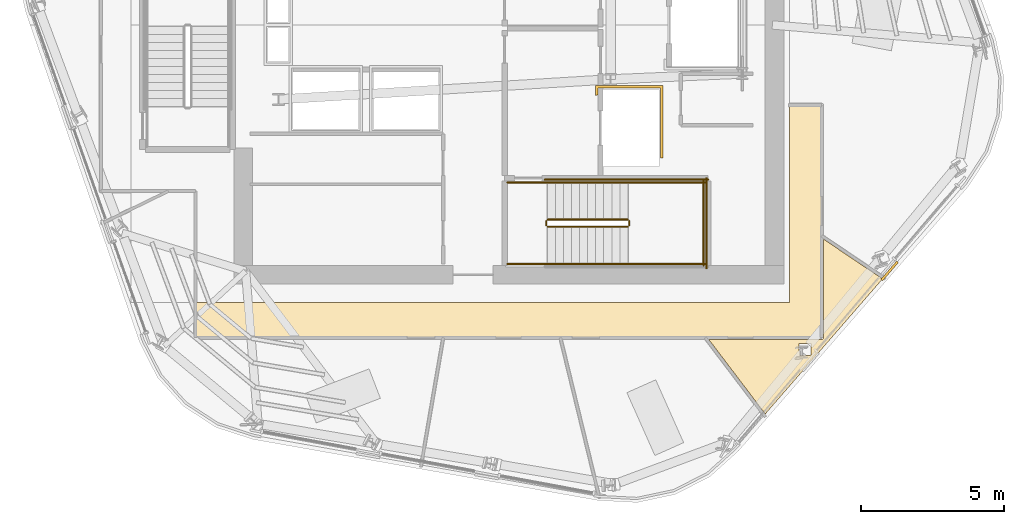
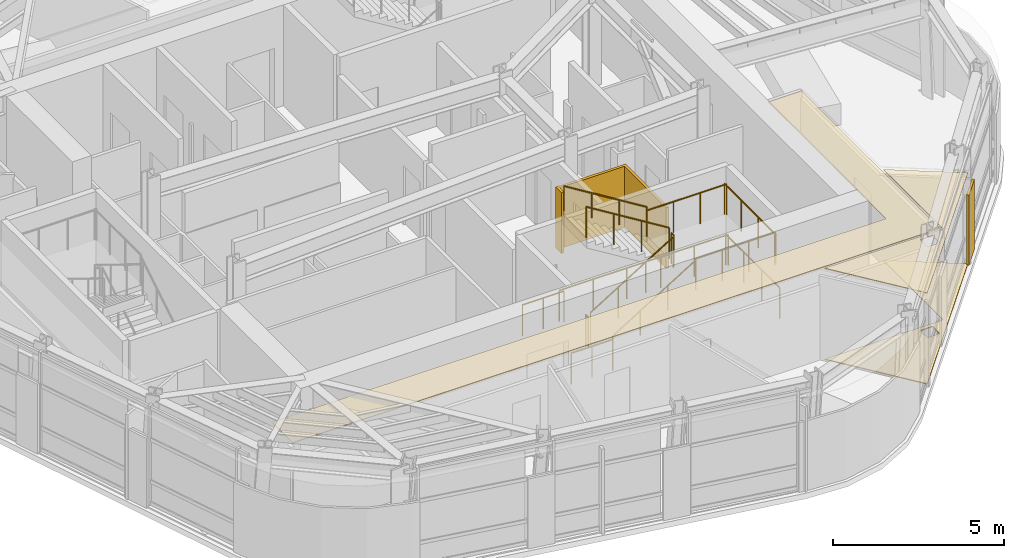
# One storey, part 9 of 12: 13 railings, 5 coverings.
"""IFC4 building model written with IfcOpenShell, lengths in metres."""

from ifc_helpers import new_model, si_unit, direction, frame, origin, origin_2d, place, context, subcontext, project, spatial, polyline, circle, outline, extrude, material, layer, layer_set, type_object, element, save


model = new_model("IFC4")

# Units and contexts
model_context = context("Model", 3, precision=1e-05, world=origin(), true_north=direction((0.0, 1.0)))
body_context = subcontext(model_context, "Body", "Model", "MODEL_VIEW")
ifc_project = project(units=[si_unit("LENGTHUNIT", "METRE"), si_unit("AREAUNIT", "SQUARE_METRE"), si_unit("VOLUMEUNIT", "CUBIC_METRE"), si_unit("PLANEANGLEUNIT", "RADIAN"), si_unit("MASSUNIT", "GRAM", prefix="KILO")], contexts=[model_context])

# Site, building, storey
site_placement = place(None, origin())
site = spatial("IfcSite", under=ifc_project, at=site_placement, CompositionType="ELEMENT")
building_placement = place(site_placement, origin())
building = spatial("IfcBuilding", under=site, at=building_placement, Name="Valkerne Bourse Tower", CompositionType="ELEMENT")
storey_placement = place(building_placement, frame((0.0, 0.0, 236.0)))
storey = spatial("IfcBuildingStorey", under=building, at=storey_placement, Name="L60", CompositionType="ELEMENT", Elevation=236.0)

# Coverings
ifc_material_1 = material(Name="Mineral Fiber Acoustic Ceiling Tile", Category="acoustic")
ifc_layer_1 = layer(ifc_material_1, 0.02490234375)
ifc_layer_set_1 = layer_set([ifc_layer_1], Name="Mineral Fiber Acoustic Ceiling Tile")
covering_type_1 = type_object("IfcCoveringType", Name="COV-CEIL-ACT", PredefinedType="CEILING", material=ifc_layer_set_1)
covering_1_placement = place(storey_placement, frame((0.0, 0.0, 3.25)))
element("IfcCovering", 1, at=covering_1_placement, inside=storey, type_object=covering_type_1, Name="L60 Suspended Ceiling 04", PredefinedType="CEILING", context=body_context, shape_type="SweptSolid", body=[
    extrude(outline(polyline([(57.720703125, 16.010986328125), (57.765869140625, 16.0283203125), (57.78271484375, 16.051025390625), (57.7890625, 16.07958984375), (57.7890625, 19.5166015625), (59.8466796875, 18.128662109375), (55.751708984375, 13.41357421875), (53.7802734375, 16.010986328125), (57.720703125, 16.010986328125)]), holes=[polyline([(57.355712890625, 15.466064453125), (57.343994140625, 15.8798828125), (56.9326171875, 15.868896484375), (56.930908203125, 15.867431640625), (56.94287109375, 15.45361328125), (57.35400390625, 15.464599609375), (57.355712890625, 15.466064453125)])]), origin(), (0.0, 0.0, 1.0), 0.02490234375),
])
ifc_material_2 = material(Name="Bronze Anodised Aluminium AA 6063-T6", Category="aluminium")
ifc_layer_2 = layer(ifc_material_2, 0.030029296875)
ifc_layer_set_2 = layer_set([ifc_layer_2], Name="Bronze Anodised Aluminium AA 6063-T6")
covering_type_2 = type_object("IfcCoveringType", Name="COV-CEIL-METAL", PredefinedType="CEILING", material=ifc_layer_set_2)
covering_2_placement = place(storey_placement, frame((0.0, 0.0, 3.25)))
element("IfcCovering", 2, at=covering_2_placement, inside=storey, type_object=covering_type_2, Name="L60 Suspended Ceiling 01", PredefinedType="CEILING", context=body_context, shape_type="SweptSolid", body=[
    extrude(outline(polyline([(35.85400390625, 17.300048828125), (56.60009765625, 17.300048828125), (56.60009765625, 24.196044921875), (57.716064453125, 24.196044921875), (57.716064453125, 16.083984375), (35.85400390625, 16.083984375), (35.85400390625, 17.300048828125)])), origin(), (0.0, 0.0, 1.0), 0.02490234375),
])
ifc_layer_3 = layer(ifc_material_2, 0.06005859375)
ifc_layer_set_3 = layer_set([ifc_layer_3], Name="Bronze Anodised Aluminium AA 6063-T6")
covering_type_3 = type_object("IfcCoveringType", Name="COV-CRN-ALUM", PredefinedType="CLADDING", material=ifc_layer_set_3)
covering_3_placement = place(storey_placement, origin())
element("IfcCovering", 3, at=covering_3_placement, inside=storey, type_object=covering_type_3, Name="L60 Wind-Shaped Corner Aluminium Cladding 02", PredefinedType="CLADDING", context=body_context, shape_type="SweptSolid", body=[
    extrude(outline(polyline([(59.85302734375, 18.06884765625), (59.792236328125, 18.120849609375), (60.343017578125, 18.755126953125), (60.40380859375, 18.703125), (59.85302734375, 18.06884765625)])), origin(), (0.0, 0.0, 1.0), 2.5),
])
ifc_material_3 = material(Name="Polished Granite Stone", Category="masonry")
ifc_layer_4 = layer(ifc_material_3, 0.030029296875)
ifc_layer_set_4 = layer_set([ifc_layer_4], Name="Polished Granite Stone")
covering_type_4 = type_object("IfcCoveringType", Name="COV-FLR-TERRAZZO", PredefinedType="FLOORING", material=ifc_layer_set_4)
covering_4_placement = place(storey_placement, origin())
element("IfcCovering", 4, at=covering_4_placement, inside=storey, type_object=covering_type_4, Name="L60 Floor Finish 04", PredefinedType="FLOORING", context=body_context, shape_type="SweptSolid", body=[
    extrude(outline(polyline([(57.720703125, 16.010986328125), (57.765869140625, 16.0283203125), (57.78271484375, 16.051025390625), (57.7890625, 16.07958984375), (57.7890625, 19.5166015625), (59.8466796875, 18.128662109375), (55.751708984375, 13.41357421875), (53.7802734375, 16.010986328125), (57.720703125, 16.010986328125)]), holes=[polyline([(57.355712890625, 15.466064453125), (57.343994140625, 15.8798828125), (56.9326171875, 15.868896484375), (56.930908203125, 15.867431640625), (56.94287109375, 15.45361328125), (57.35400390625, 15.464599609375), (57.355712890625, 15.466064453125)])]), origin(), (0.0, 0.0, 1.0), 0.030029296875),
])
ifc_material_4 = material(Name="Gypsum Shaftwall Liner Board", Category="gypsum")
ifc_layer_5 = layer(ifc_material_4, 0.080078125)
ifc_layer_set_5 = layer_set([ifc_layer_5], Name="Gypsum Shaftwall Liner Board")
covering_type_5 = type_object("IfcCoveringType", Name="COV-SHF-CLAD", PredefinedType="CLADDING", material=ifc_layer_set_5)
covering_5_placement = place(storey_placement, origin())
element("IfcCovering", 5, at=covering_5_placement, inside=storey, type_object=covering_type_5, Name="L60 Hoistway & Riser Shaftwall Liner 05", PredefinedType="CLADDING", context=body_context, shape_type="SweptSolid", body=[
    extrude(outline(polyline([(52.179931640625, 22.35009765625), (52.090087890625, 22.35009765625), (52.090087890625, 24.7900390625), (49.909912109375, 24.7900390625), (49.909912109375, 24.560791015625), (49.869384765625, 24.550537109375), (49.827880859375, 24.53564453125), (49.820068359375, 24.531982421875), (49.820068359375, 24.8798828125), (52.179931640625, 24.8798828125), (52.179931640625, 22.35009765625)])), origin(), (0.0, 0.0, 1.0), 2.179931640625),
])

# Railings
ifc_material_5 = material(Name="Galvanised Painted Steel", Category="steel")
railing_type_1 = type_object("IfcRailingType", Name="RLG-ST-GUARD-1120", PredefinedType="GUARDRAIL", material=ifc_material_5)
railing_1_placement = place(storey_placement, frame((48.14990234375, 19.949951171875, 0.172607421875)))
element("IfcRailing", 6, at=railing_1_placement, inside=storey, type_object=railing_type_1, Name="L60 ST-1 stair guard 1", PredefinedType="GUARDRAIL", context=body_context, shape_type="SweptSolid", body=[
    extrude(circle(Radius=0.02392578125, at=origin_2d()), frame((0.0, 0.0, 1.09619140625), z_axis=(0.851089632645, 0.0, 0.525020415988), x_axis=(0.0, 1.0, 0.0)), (0.0, 0.0, 1.0), 3.2900390625),
    extrude(circle(Radius=0.02099609375, at=origin_2d()), origin(), (0.0, 0.0, 1.0), 1.072021484375),
    extrude(circle(Radius=0.02099609375, at=origin_2d()), frame((0.933349609375, 0.0, 0.57568359375)), (0.0, 0.0, 1.0), 1.072021484375),
    extrude(circle(Radius=0.02099609375, at=origin_2d()), frame((1.86669921875, 0.0, 1.151611328125)), (0.0, 0.0, 1.0), 1.072021484375),
    extrude(circle(Radius=0.02099609375, at=origin_2d()), frame((2.800048828125, 0.0, 1.727294921875)), (0.0, 0.0, 1.0), 1.072021484375),
])
railing_2_placement = place(storey_placement, frame((51.0, 20.0, 1.89990234375)))
element("IfcRailing", 7, at=railing_2_placement, inside=storey, type_object=railing_type_1, Name="L60 ST-1 stair guard 2", PredefinedType="GUARDRAIL", context=body_context, shape_type="SweptSolid", body=[
    extrude(circle(Radius=0.02392578125, at=origin_2d()), frame((0.0, 0.0, 1.09619140625), z_axis=(0.0, 1.0, 0.0), x_axis=(-1.0, 0.0, 0.0)), (0.0, 0.0, 1.0), 0.14990234375),
    extrude(circle(Radius=0.02099609375, at=origin_2d()), origin(), (0.0, 0.0, 1.0), 1.072021484375),
    extrude(circle(Radius=0.02099609375, at=origin_2d()), frame((0.0, 0.14990234375, 0.0)), (0.0, 0.0, 1.0), 1.072021484375),
])
for number, where, name in (
    (8, (50.949951171875, 18.64990234375, 1.89990234375), "L60 ST-1 stair guard 3"),
    (9, (50.949951171875, 21.5, 1.89990234375), "L60 ST-1 stair guard 4"),
):
    element("IfcRailing", number, at=place(storey_placement, frame(where)), inside=storey, type_object=railing_type_1, Name=name, PredefinedType="GUARDRAIL", context=body_context, shape_type="SweptSolid", body=[
        extrude(circle(Radius=0.02392578125, at=origin_2d()), frame((0.0, 0.0, 1.09619140625), z_axis=(1.0, 0.0, 0.0), x_axis=(0.0, 1.0, 0.0)), (0.0, 0.0, 1.0), 2.699951171875),
        extrude(circle(Radius=0.02099609375, at=origin_2d()), origin(), (0.0, 0.0, 1.0), 1.072021484375),
        extrude(circle(Radius=0.02099609375, at=origin_2d()), frame((0.89990234375, 0.0, 0.0)), (0.0, 0.0, 1.0), 1.072021484375),
        extrude(circle(Radius=0.02099609375, at=origin_2d()), frame((1.800048828125, 0.0, 0.0)), (0.0, 0.0, 1.0), 1.072021484375),
        extrude(circle(Radius=0.02099609375, at=origin_2d()), frame((2.699951171875, 0.0, 0.0)), (0.0, 0.0, 1.0), 1.072021484375),
    ])
railing_3_placement = place(storey_placement, frame((53.60009765625, 18.60009765625, 1.89990234375)))
element("IfcRailing", 10, at=railing_3_placement, inside=storey, type_object=railing_type_1, Name="L60 ST-1 stair guard 5", PredefinedType="GUARDRAIL", context=body_context, shape_type="SweptSolid", body=[
    extrude(circle(Radius=0.02392578125, at=origin_2d()), frame((0.0, 0.0, 1.09619140625), z_axis=(0.0, 1.0, 0.0), x_axis=(-1.0, 0.0, 0.0)), (0.0, 0.0, 1.0), 2.949951171875),
    extrude(circle(Radius=0.02099609375, at=origin_2d()), origin(), (0.0, 0.0, 1.0), 1.072021484375),
    extrude(circle(Radius=0.02099609375, at=origin_2d()), frame((0.0, 0.9833984375, 0.0)), (0.0, 0.0, 1.0), 1.072021484375),
    extrude(circle(Radius=0.02099609375, at=origin_2d()), frame((0.0, 1.966552734375, 0.0)), (0.0, 0.0, 1.0), 1.072021484375),
    extrude(circle(Radius=0.02099609375, at=origin_2d()), frame((0.0, 2.949951171875, 0.0)), (0.0, 0.0, 1.0), 1.072021484375),
])
railing_4_placement = place(storey_placement, frame((50.949951171875, 20.199951171875, 2.07275390625)))
element("IfcRailing", 11, at=railing_4_placement, inside=storey, type_object=railing_type_1, Name="L60 ST-1 stair guard 6", PredefinedType="GUARDRAIL", context=body_context, shape_type="SweptSolid", body=[
    extrude(circle(Radius=0.02392578125, at=origin_2d()), frame((0.0, 0.0, 1.09619140625), z_axis=(-0.851089632645, 0.0, 0.525020415988), x_axis=(0.0, -1.0, 0.0)), (0.0, 0.0, 1.0), 3.2900390625),
    extrude(circle(Radius=0.02099609375, at=origin_2d()), origin(), (0.0, 0.0, 1.0), 1.072021484375),
    extrude(circle(Radius=0.02099609375, at=origin_2d()), frame((-0.933349609375, 0.0, 0.57568359375)), (0.0, 0.0, 1.0), 1.072021484375),
    extrude(circle(Radius=0.02099609375, at=origin_2d()), frame((-1.86669921875, 0.0, 1.151611328125)), (0.0, 0.0, 1.0), 1.072021484375),
    extrude(circle(Radius=0.02099609375, at=origin_2d()), frame((-2.800048828125, 0.0, 1.727294921875)), (0.0, 0.0, 1.0), 1.072021484375),
])
railing_5_placement = place(storey_placement, frame((48.10009765625, 20.0, 0.0)))
element("IfcRailing", 12, at=railing_5_placement, inside=storey, type_object=railing_type_1, Name="L60 ST-1 stair guard 7", PredefinedType="GUARDRAIL", context=body_context, shape_type="SweptSolid", body=[
    extrude(circle(Radius=0.02392578125, at=origin_2d()), frame((0.0, 0.0, 1.09619140625), z_axis=(0.0, 1.0, 0.0), x_axis=(-1.0, 0.0, 0.0)), (0.0, 0.0, 1.0), 0.14990234375),
    extrude(circle(Radius=0.02099609375, at=origin_2d()), origin(), (0.0, 0.0, 1.0), 1.072021484375),
    extrude(circle(Radius=0.02099609375, at=origin_2d()), frame((0.0, 0.14990234375, 0.0)), (0.0, 0.0, 1.0), 1.072021484375),
])
for number, where, name in (
    (13, (46.75, 18.64990234375, 0.0), "L60 ST-1 stair guard 8"),
    (14, (46.75, 21.5, 0.0), "L60 ST-1 stair guard 9"),
):
    element("IfcRailing", number, at=place(storey_placement, frame(where)), inside=storey, type_object=railing_type_1, Name=name, PredefinedType="GUARDRAIL", context=body_context, shape_type="SweptSolid", body=[
        extrude(circle(Radius=0.02392578125, at=origin_2d()), frame((0.0, 0.0, 1.09619140625), z_axis=(1.0, 0.0, 0.0), x_axis=(0.0, 1.0, 0.0)), (0.0, 0.0, 1.0), 1.39990234375),
        extrude(circle(Radius=0.02099609375, at=origin_2d()), origin(), (0.0, 0.0, 1.0), 1.072021484375),
        extrude(circle(Radius=0.02099609375, at=origin_2d()), frame((0.699951171875, 0.0, 0.0)), (0.0, 0.0, 1.0), 1.072021484375),
        extrude(circle(Radius=0.02099609375, at=origin_2d()), frame((1.39990234375, 0.0, 0.0)), (0.0, 0.0, 1.0), 1.072021484375),
    ])
railing_6_placement = place(storey_placement, frame((48.050048828125, 21.60009765625, 0.0)))
element("IfcRailing", 15, at=railing_6_placement, inside=storey, type_object=railing_type_1, Name="L60 ST-1 stair guard 11", PredefinedType="GUARDRAIL", context=body_context, shape_type="SweptSolid", body=[
    extrude(circle(Radius=0.02392578125, at=origin_2d()), frame((0.0, 0.0, 1.09619140625), z_axis=(1.0, 0.0, 0.0), x_axis=(0.0, 1.0, 0.0)), (0.0, 0.0, 1.0), 5.699951171875),
    extrude(circle(Radius=0.02099609375, at=origin_2d()), origin(), (0.0, 0.0, 1.0), 1.072021484375),
    extrude(circle(Radius=0.02099609375, at=origin_2d()), frame((1.139892578125, 0.0, 0.0)), (0.0, 0.0, 1.0), 1.072021484375),
    extrude(circle(Radius=0.02099609375, at=origin_2d()), frame((2.280029296875, 0.0, 0.0)), (0.0, 0.0, 1.0), 1.072021484375),
    extrude(circle(Radius=0.02099609375, at=origin_2d()), frame((3.419921875, 0.0, 0.0)), (0.0, 0.0, 1.0), 1.072021484375),
    extrude(circle(Radius=0.02099609375, at=origin_2d()), frame((4.56005859375, 0.0, 0.0)), (0.0, 0.0, 1.0), 1.072021484375),
    extrude(circle(Radius=0.02099609375, at=origin_2d()), frame((5.699951171875, 0.0, 0.0)), (0.0, 0.0, 1.0), 1.072021484375),
])
railing_7_placement = place(storey_placement, frame((53.699951171875, 18.5, 0.0)))
element("IfcRailing", 16, at=railing_7_placement, inside=storey, type_object=railing_type_1, Name="L60 ST-1 stair guard 12", PredefinedType="GUARDRAIL", context=body_context, shape_type="SweptSolid", body=[
    extrude(circle(Radius=0.02392578125, at=origin_2d()), frame((0.0, 0.0, 1.09619140625), z_axis=(0.0, 1.0, 0.0), x_axis=(-1.0, 0.0, 0.0)), (0.0, 0.0, 1.0), 3.14990234375),
    extrude(circle(Radius=0.02099609375, at=origin_2d()), origin(), (0.0, 0.0, 1.0), 1.072021484375),
    extrude(circle(Radius=0.02099609375, at=origin_2d()), frame((0.0, 1.050048828125, 0.0)), (0.0, 0.0, 1.0), 1.072021484375),
    extrude(circle(Radius=0.02099609375, at=origin_2d()), frame((0.0, 2.099853515625, 0.0)), (0.0, 0.0, 1.0), 1.072021484375),
    extrude(circle(Radius=0.02099609375, at=origin_2d()), frame((0.0, 3.14990234375, 0.0)), (0.0, 0.0, 1.0), 1.072021484375),
])
ifc_material_6 = material(Name="Stainless Steel AISI 316", Category="steel")
railing_type_2 = type_object("IfcRailingType", Name="RLG-ST-HANDRAIL-900", PredefinedType="HANDRAIL", material=ifc_material_6)
railing_8_placement = place(storey_placement, frame((48.14990234375, 18.64990234375, 0.345458984375)))
element("IfcRailing", 17, at=railing_8_placement, inside=storey, type_object=railing_type_2, Name="L60 ST-1 stair handrail 1", PredefinedType="HANDRAIL", context=body_context, shape_type="SweptSolid", body=[
    extrude(circle(Radius=0.02392578125, at=origin_2d()), frame((0.0, 0.0, 0.8759765625), z_axis=(0.851089632645, 0.0, 0.525020415988), x_axis=(0.0, 1.0, 0.0)), (0.0, 0.0, 1.0), 3.2900390625),
    extrude(circle(Radius=0.02099609375, at=origin_2d()), origin(), (0.0, 0.0, 1.0), 0.851806640625),
    extrude(circle(Radius=0.02099609375, at=origin_2d()), frame((0.933349609375, 0.0, 0.57568359375)), (0.0, 0.0, 1.0), 0.851806640625),
    extrude(circle(Radius=0.02099609375, at=origin_2d()), frame((1.86669921875, 0.0, 1.151611328125)), (0.0, 0.0, 1.0), 0.851806640625),
    extrude(circle(Radius=0.02099609375, at=origin_2d()), frame((2.800048828125, 0.0, 1.727294921875)), (0.0, 0.0, 1.0), 0.851806640625),
])
railing_9_placement = place(storey_placement, frame((50.949951171875, 21.5, 2.245361328125)))
element("IfcRailing", 18, at=railing_9_placement, inside=storey, type_object=railing_type_2, Name="L60 ST-1 stair handrail 2", PredefinedType="HANDRAIL", context=body_context, shape_type="SweptSolid", body=[
    extrude(circle(Radius=0.02392578125, at=origin_2d()), frame((0.0, 0.0, 0.8759765625), z_axis=(-0.851089632645, 0.0, 0.525020415988), x_axis=(0.0, -1.0, 0.0)), (0.0, 0.0, 1.0), 3.2900390625),
    extrude(circle(Radius=0.02099609375, at=origin_2d()), origin(), (0.0, 0.0, 1.0), 0.851806640625),
    extrude(circle(Radius=0.02099609375, at=origin_2d()), frame((-0.933349609375, 0.0, 0.57568359375)), (0.0, 0.0, 1.0), 0.851806640625),
    extrude(circle(Radius=0.02099609375, at=origin_2d()), frame((-1.86669921875, 0.0, 1.151611328125)), (0.0, 0.0, 1.0), 0.851806640625),
    extrude(circle(Radius=0.02099609375, at=origin_2d()), frame((-2.800048828125, 0.0, 1.727294921875)), (0.0, 0.0, 1.0), 0.851806640625),
])

save(model, "model.ifc")
